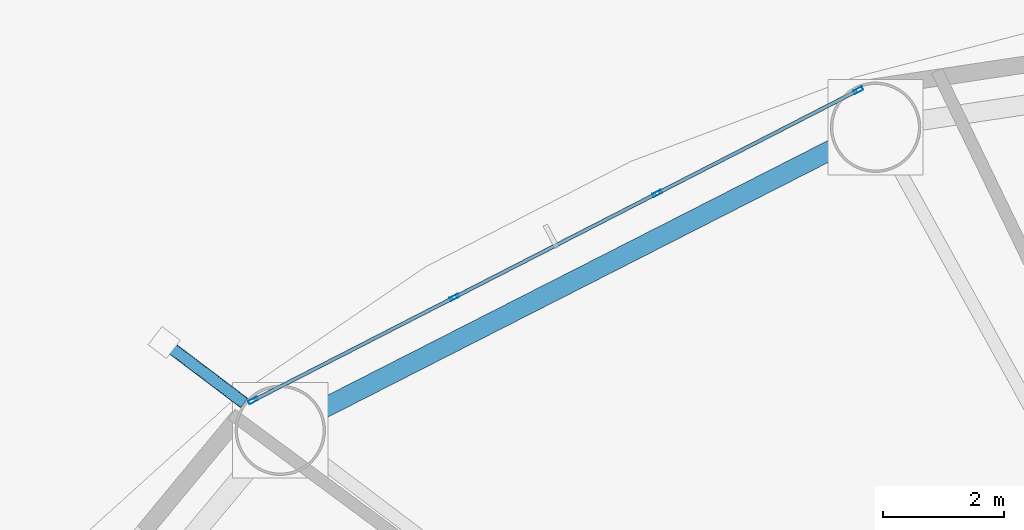
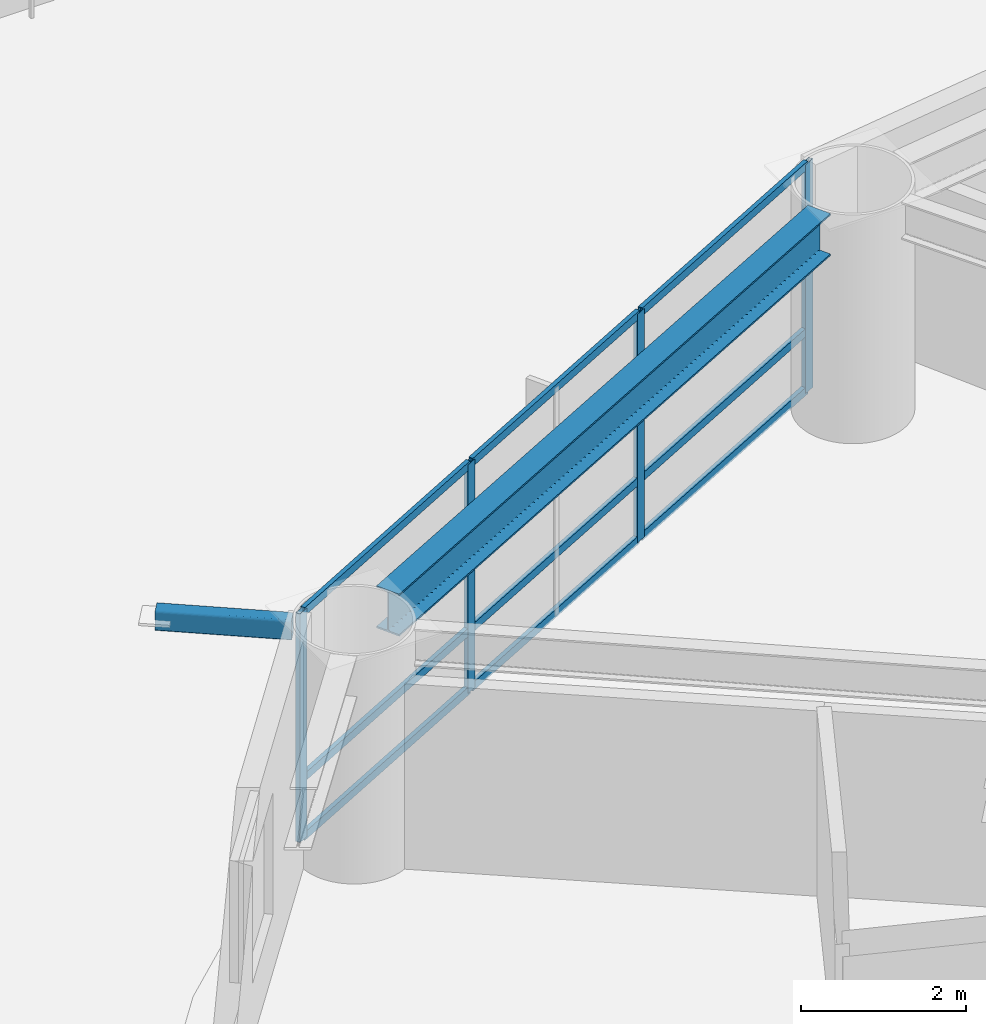
# One storey, part 10 of 30: 14 members, 1 beam, 1 element without a shape of its own.
"""IFC4 building model written with IfcOpenShell, lengths in metres."""

from ifc_helpers import new_model, si_unit, direction, frame, origin, origin_2d, place, context, subcontext, project, spatial, hollow_rectangle, i_section, extrude, material, layer, layer_set, material_profile, profile_set, type_object, element, aggregate, save


model = new_model("IFC4")

# Units and contexts
model_context = context("Model", 3, precision=1e-05, world=origin(), true_north=direction((0.0, 1.0)))
body_context = subcontext(model_context, "Body", "Model", "MODEL_VIEW")
ifc_project = project(units=[si_unit("LENGTHUNIT", "METRE"), si_unit("AREAUNIT", "SQUARE_METRE"), si_unit("VOLUMEUNIT", "CUBIC_METRE"), si_unit("PLANEANGLEUNIT", "RADIAN"), si_unit("MASSUNIT", "GRAM", prefix="KILO")], contexts=[model_context])

# Site, building, storey
site_placement = place(None, origin())
site = spatial("IfcSite", under=ifc_project, at=site_placement, CompositionType="ELEMENT")
building_placement = place(site_placement, origin())
building = spatial("IfcBuilding", under=site, at=building_placement, Name="Sarneth Arch Tower", CompositionType="ELEMENT")
storey_placement = place(building_placement, frame((0.0, 0.0, 28.199951171875)))
storey = spatial("IfcBuildingStorey", under=building, at=storey_placement, Name="L05", CompositionType="ELEMENT", Elevation=28.199951171875)

# Beam
ifc_material_1 = material(Name="Steel S355", Category="steel")
ifc_material_profile_1 = material_profile(ifc_material_1, i_section(OverallWidth=0.326904296875, OverallDepth=0.6220703125, WebThickness=0.015380859375, FlangeThickness=0.0244140625, FilletRadius=0.01904296875, at=origin_2d()), Name="W610x195")
ifc_profile_set_1 = profile_set([ifc_material_profile_1], Name="Steel S355")
beam_type = type_object("IfcBeamType", Name="BM-SPAN-610A", PredefinedType="SPANDREL", material=ifc_profile_set_1)
beam_placement = place(storey_placement, frame((35.513916015625, 63.09375, 3.069091796875), z_axis=(-0.891169106887, -0.453671271882, 0.0), x_axis=(0.453671271882, -0.891169106887, 0.0)))
element("IfcBeam", 1, at=beam_placement, inside=storey, type_object=beam_type, Name="L05 Perimeter spandrel beam 06", PredefinedType="SPANDREL", context=body_context, shape_type="SweptSolid", body=[
    extrude(i_section(OverallWidth=0.326904296875, OverallDepth=0.6220703125, WebThickness=0.015380859375, FlangeThickness=0.0244140625, FilletRadius=0.01904296875, at=origin_2d()), origin(), (0.0, 0.0, 1.0), 9.58544921875),
])

# Curtain wall, members
ifc_material_2 = material(Name="Anodised aluminium Type AA25 and solar-control low-e laminated IGU", Category="aluminium")
ifc_layer = layer(ifc_material_2, 0.159912109375)
ifc_layer_set = layer_set([ifc_layer], Name="Anodised aluminium Type AA25 and solar-control low-e laminated IGU")
curtain_wall_type = type_object("IfcCurtainWallType", Name="CW-HOTEL-LOW", PredefinedType="NOTDEFINED", material=ifc_layer_set)
curtain_wall_placement = place(storey_placement, origin())
curtain_wall = element("IfcCurtainWall", 2, at=curtain_wall_placement, inside=storey, type_object=curtain_wall_type, Name="L05 Unitised curtain wall facet 06", PredefinedType="NOTDEFINED")
ifc_material_3 = material(Name="Anodised Aluminium 6063-T6", Category="aluminium")
ifc_material_profile_2 = material_profile(ifc_material_3, hollow_rectangle(XDim=0.06005859375, YDim=0.159912109375, WallThickness=0.00390625, at=origin_2d()), Name="AL-MULL-160x60x4")
ifc_profile_set_2 = profile_set([ifc_material_profile_2], Name="Anodised Aluminium 6063-T6")
member_type_1 = type_object("IfcMemberType", Name="CW-MULLION", PredefinedType="MULLION", material=ifc_profile_set_2)
member_1_placement = place(storey_placement, frame((35.8955078125, 64.048583984375, 0.0), z_axis=(0.0, 0.0, 1.0), x_axis=(0.456245197127, -0.889854100456, 0.0)))
member_1 = element("IfcMember", 3, at=member_1_placement, type_object=member_type_1, Name="CW-SYS-3 mullion 1", PredefinedType="MULLION", context=body_context, shape_type="SweptSolid", body=[
    extrude(hollow_rectangle(XDim=0.06005859375, YDim=0.159912109375, WallThickness=0.00390625, at=origin_2d()), origin(), (0.0, 0.0, 1.0), 3.380126953125),
])
member_2_placement = place(storey_placement, frame((32.556640625, 62.336669921875, 0.0), z_axis=(0.0, 0.0, 1.0), x_axis=(0.456245197127, -0.889854100456, 0.0)))
member_2 = element("IfcMember", 4, at=member_2_placement, type_object=member_type_1, Name="CW-SYS-3 mullion 2", PredefinedType="MULLION", context=body_context, shape_type="SweptSolid", body=[
    extrude(hollow_rectangle(XDim=0.06005859375, YDim=0.159912109375, WallThickness=0.00390625, at=origin_2d()), origin(), (0.0, 0.0, 1.0), 3.380126953125),
])
member_3_placement = place(storey_placement, frame((29.19140625, 60.611328125, 0.0), z_axis=(0.0, 0.0, 1.0), x_axis=(0.456245197127, -0.889854100456, 0.0)))
member_3 = element("IfcMember", 5, at=member_3_placement, type_object=member_type_1, Name="CW-SYS-3 mullion 3", PredefinedType="MULLION", context=body_context, shape_type="SweptSolid", body=[
    extrude(hollow_rectangle(XDim=0.06005859375, YDim=0.159912109375, WallThickness=0.00390625, at=origin_2d()), origin(), (0.0, 0.0, 1.0), 3.380126953125),
])
member_4_placement = place(storey_placement, frame((25.8525390625, 58.8994140625, 0.0), z_axis=(0.0, 0.0, 1.0), x_axis=(0.456245197127, -0.889854100456, 0.0)))
member_4 = element("IfcMember", 6, at=member_4_placement, type_object=member_type_1, Name="CW-SYS-3 mullion 4", PredefinedType="MULLION", context=body_context, shape_type="SweptSolid", body=[
    extrude(hollow_rectangle(XDim=0.06005859375, YDim=0.159912109375, WallThickness=0.00390625, at=origin_2d()), origin(), (0.0, 0.0, 1.0), 3.380126953125),
])
ifc_material_4 = material(Name="Anodised Aluminium 6063-T6", Category="aluminium")
ifc_material_profile_3 = material_profile(ifc_material_4, hollow_rectangle(XDim=0.06005859375, YDim=0.1201171875, WallThickness=0.00390625, at=origin_2d()), Name="AL-TRAN-120x60x4")
ifc_profile_set_3 = profile_set([ifc_material_profile_3], Name="Anodised Aluminium 6063-T6")
member_type_2 = type_object("IfcMemberType", Name="CW-TRANSOM", PredefinedType="USERDEFINED", material=ifc_profile_set_3)
member_5_placement = place(storey_placement, frame((35.86865234375, 64.034912109375, 0.030029296875), z_axis=(-0.889831232102, -0.456289796485, 0.0), x_axis=(0.456289796485, -0.889831232102, 0.0)))
member_5 = element("IfcMember", 7, at=member_5_placement, type_object=member_type_2, Name="CW-SYS-3 transom 1.1", ObjectType="TRANSOM", PredefinedType="USERDEFINED", context=body_context, shape_type="SweptSolid", body=[
    extrude(hollow_rectangle(XDim=0.06005859375, YDim=0.1201171875, WallThickness=0.00390625, at=origin_2d()), origin(), (0.0, 0.0, 1.0), 3.69189453125),
])
member_6_placement = place(storey_placement, frame((35.86865234375, 64.034912109375, 0.900146484375), z_axis=(-0.889831232102, -0.456289796485, 0.0), x_axis=(0.456289796485, -0.889831232102, 0.0)))
member_6 = element("IfcMember", 8, at=member_6_placement, type_object=member_type_2, Name="CW-SYS-3 transom 1.2", ObjectType="TRANSOM", PredefinedType="USERDEFINED", context=body_context, shape_type="SweptSolid", body=[
    extrude(hollow_rectangle(XDim=0.06005859375, YDim=0.1201171875, WallThickness=0.00390625, at=origin_2d()), origin(), (0.0, 0.0, 1.0), 3.69189453125),
])
member_7_placement = place(storey_placement, frame((35.86865234375, 64.034912109375, 3.35009765625), z_axis=(-0.889831232102, -0.456289796485, 0.0), x_axis=(0.456289796485, -0.889831232102, 0.0)))
member_7 = element("IfcMember", 9, at=member_7_placement, type_object=member_type_2, Name="CW-SYS-3 transom 1.3", ObjectType="TRANSOM", PredefinedType="USERDEFINED", context=body_context, shape_type="SweptSolid", body=[
    extrude(hollow_rectangle(XDim=0.06005859375, YDim=0.1201171875, WallThickness=0.00390625, at=origin_2d()), origin(), (0.0, 0.0, 1.0), 3.69189453125),
])
member_8_placement = place(storey_placement, frame((32.530029296875, 62.322998046875, 0.030029296875), z_axis=(-0.889868677022, -0.456216766083, 0.0), x_axis=(0.456216766083, -0.889868677022, 0.0)))
member_8 = element("IfcMember", 10, at=member_8_placement, type_object=member_type_2, Name="CW-SYS-3 transom 2.1", ObjectType="TRANSOM", PredefinedType="USERDEFINED", context=body_context, shape_type="SweptSolid", body=[
    extrude(hollow_rectangle(XDim=0.06005859375, YDim=0.1201171875, WallThickness=0.00390625, at=origin_2d()), origin(), (0.0, 0.0, 1.0), 3.721923828125),
])
member_9_placement = place(storey_placement, frame((32.530029296875, 62.322998046875, 0.900146484375), z_axis=(-0.889868677022, -0.456216766083, 0.0), x_axis=(0.456216766083, -0.889868677022, 0.0)))
member_9 = element("IfcMember", 11, at=member_9_placement, type_object=member_type_2, Name="CW-SYS-3 transom 2.2", ObjectType="TRANSOM", PredefinedType="USERDEFINED", context=body_context, shape_type="SweptSolid", body=[
    extrude(hollow_rectangle(XDim=0.06005859375, YDim=0.1201171875, WallThickness=0.00390625, at=origin_2d()), origin(), (0.0, 0.0, 1.0), 3.721923828125),
])
member_10_placement = place(storey_placement, frame((32.530029296875, 62.322998046875, 3.35009765625), z_axis=(-0.889868677022, -0.456216766083, 0.0), x_axis=(0.456216766083, -0.889868677022, 0.0)))
member_10 = element("IfcMember", 12, at=member_10_placement, type_object=member_type_2, Name="CW-SYS-3 transom 2.3", ObjectType="TRANSOM", PredefinedType="USERDEFINED", context=body_context, shape_type="SweptSolid", body=[
    extrude(hollow_rectangle(XDim=0.06005859375, YDim=0.1201171875, WallThickness=0.00390625, at=origin_2d()), origin(), (0.0, 0.0, 1.0), 3.721923828125),
])
member_11_placement = place(storey_placement, frame((29.16455078125, 60.597412109375, 0.030029296875), z_axis=(-0.889871845224, -0.456210586327, 0.0), x_axis=(0.456210586327, -0.889871845224, 0.0)))
member_11 = element("IfcMember", 13, at=member_11_placement, type_object=member_type_2, Name="CW-SYS-3 transom 3.1", ObjectType="TRANSOM", PredefinedType="USERDEFINED", context=body_context, shape_type="SweptSolid", body=[
    extrude(hollow_rectangle(XDim=0.06005859375, YDim=0.1201171875, WallThickness=0.00390625, at=origin_2d()), origin(), (0.0, 0.0, 1.0), 3.69189453125),
])
member_12_placement = place(storey_placement, frame((29.16455078125, 60.597412109375, 0.900146484375), z_axis=(-0.889871845224, -0.456210586327, 0.0), x_axis=(0.456210586327, -0.889871845224, 0.0)))
member_12 = element("IfcMember", 14, at=member_12_placement, type_object=member_type_2, Name="CW-SYS-3 transom 3.2", ObjectType="TRANSOM", PredefinedType="USERDEFINED", context=body_context, shape_type="SweptSolid", body=[
    extrude(hollow_rectangle(XDim=0.06005859375, YDim=0.1201171875, WallThickness=0.00390625, at=origin_2d()), origin(), (0.0, 0.0, 1.0), 3.69189453125),
])
member_13_placement = place(storey_placement, frame((29.16455078125, 60.597412109375, 3.35009765625), z_axis=(-0.889871845224, -0.456210586327, 0.0), x_axis=(0.456210586327, -0.889871845224, 0.0)))
member_13 = element("IfcMember", 15, at=member_13_placement, type_object=member_type_2, Name="CW-SYS-3 transom 3.3", ObjectType="TRANSOM", PredefinedType="USERDEFINED", context=body_context, shape_type="SweptSolid", body=[
    extrude(hollow_rectangle(XDim=0.06005859375, YDim=0.1201171875, WallThickness=0.00390625, at=origin_2d()), origin(), (0.0, 0.0, 1.0), 3.69189453125),
])
aggregate(curtain_wall, [member_1, member_2, member_3, member_4, member_5, member_6, member_7, member_8, member_9, member_10, member_11, member_12, member_13])

# Member
ifc_material_5 = material(Name="Steel S355", Category="steel")
ifc_material_profile_4 = material_profile(ifc_material_5, hollow_rectangle(XDim=0.199951171875, YDim=0.300048828125, WallThickness=0.012451171875, InnerFilletRadius=0.018798828125, OuterFilletRadius=0.03125, at=origin_2d()), Name="RHS300x200x12.5")
ifc_profile_set_4 = profile_set([ifc_material_profile_4], Name="Steel S355")
member_type_3 = type_object("IfcMemberType", Name="MEM-CANT-STRUT", PredefinedType="STRUT", material=ifc_profile_set_4)
member_14_placement = place(storey_placement, frame((25.705078125, 58.857177734375, 3.219970703125), z_axis=(-0.797654170821, 0.603115099937, 0.0), x_axis=(-0.603115099937, -0.797654170821, 0.0)))
element("IfcMember", 16, at=member_14_placement, inside=storey, type_object=member_type_3, Name="L05 Balcony cantilever bracket 07", PredefinedType="STRUT", context=body_context, shape_type="SweptSolid", body=[
    extrude(hollow_rectangle(XDim=0.199951171875, YDim=0.300048828125, WallThickness=0.012451171875, InnerFilletRadius=0.018798828125, OuterFilletRadius=0.03125, at=origin_2d()), origin(), (0.0, 0.0, 1.0), 1.665283203125),
])

save(model, "model.ifc")
